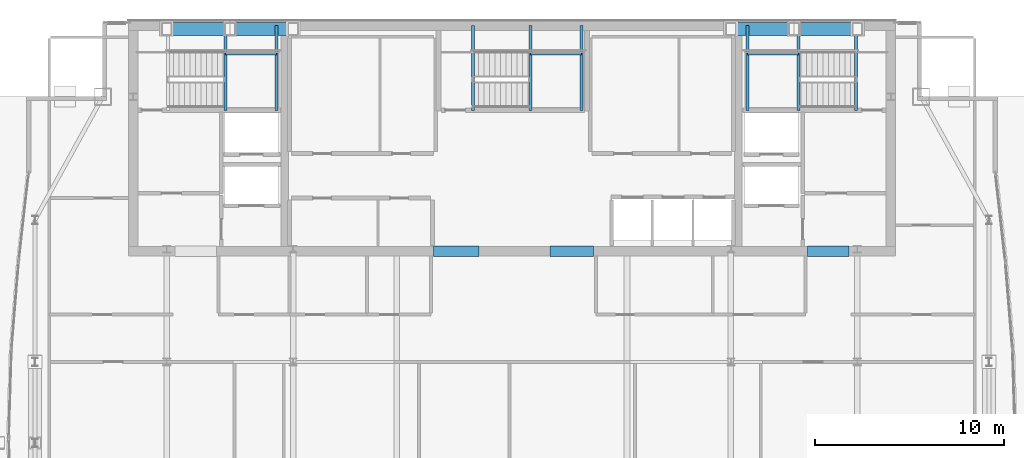
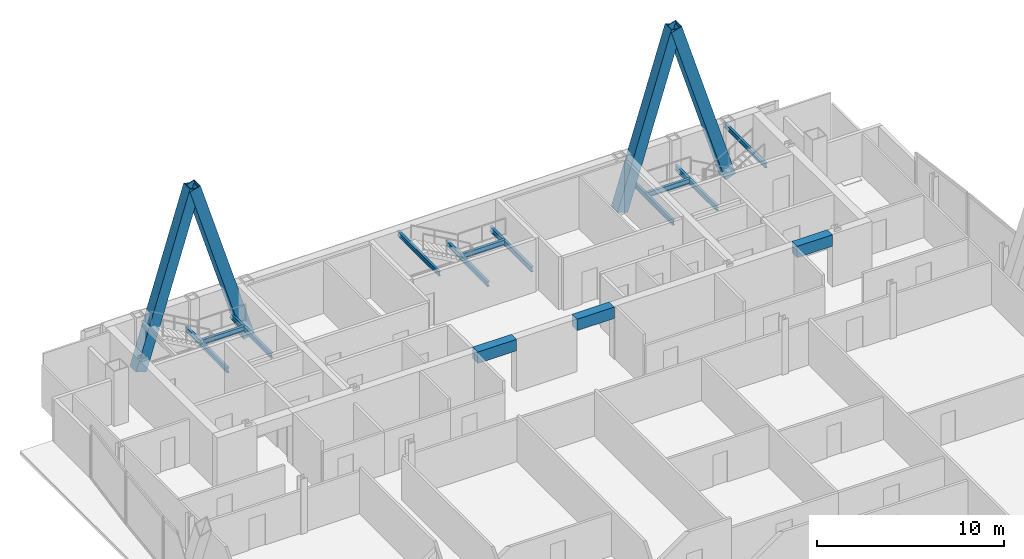
# One storey, part 19 of 28: 14 beams, 4 members.
"""IFC4 building model written with IfcOpenShell, lengths in metres."""

from ifc_helpers import new_model, si_unit, direction, frame, origin, origin_2d, place, context, subcontext, project, spatial, rectangle, hollow_rectangle, i_section, extrude, material, material_profile, profile_set, type_object, element, save


model = new_model("IFC4")

# Units and contexts
model_context = context("Model", 3, precision=1e-05, world=origin(), true_north=direction((0.0, 1.0)))
body_context = subcontext(model_context, "Body", "Model", "MODEL_VIEW")
ifc_project = project(units=[si_unit("LENGTHUNIT", "METRE"), si_unit("AREAUNIT", "SQUARE_METRE"), si_unit("VOLUMEUNIT", "CUBIC_METRE"), si_unit("PLANEANGLEUNIT", "RADIAN"), si_unit("MASSUNIT", "GRAM", prefix="KILO")], contexts=[model_context])

# Site, building, storey
site_placement = place(None, origin())
site = spatial("IfcSite", under=ifc_project, at=site_placement, CompositionType="ELEMENT")
building_placement = place(site_placement, origin())
building = spatial("IfcBuilding", under=site, at=building_placement, Name="Khoronbel Lancet Exchange", CompositionType="ELEMENT")
storey_placement = place(building_placement, frame((0.0, 0.0, 291.39990234375)))
storey = spatial("IfcBuildingStorey", under=building, at=storey_placement, Name="L75", CompositionType="ELEMENT", Elevation=291.39990234375)

# Beams
ifc_material_1 = material(Name="Steel S355", Category="steel")
ifc_material_profile_1 = material_profile(ifc_material_1, i_section(OverallWidth=0.159912109375, OverallDepth=0.330078125, WebThickness=0.007568359375, FlangeThickness=0.011474609375, at=origin_2d()), Name="IPE 330")
ifc_profile_set_1 = profile_set([ifc_material_profile_1], Name="Steel S355")
beam_type_1 = type_object("IfcBeamType", Name="BM-BJ7", PredefinedType="JOIST", material=ifc_profile_set_1)
for number, where, z_axis, x_axis, name in (
    (1, (21.320068359375, 48.97998046875, 1.43505859375), (0.0, 1.0, 0.0), (-1.0, 0.0, 0.0), "Level L75 stair ST1 landing bearer beam 1"),
    (2, (24.030029296875, 48.97998046875, 1.43505859375), (0.0, 1.0, 0.0), (-1.0, 0.0, 0.0), "Level L75 stair ST1 rear landing bearer beam 1"),
):
    element("IfcBeam", number, at=place(storey_placement, frame(where, z_axis=z_axis, x_axis=x_axis)), inside=storey, type_object=beam_type_1, Name=name, PredefinedType="JOIST", context=body_context, shape_type="SweptSolid", body=[
        extrude(i_section(OverallWidth=0.159912109375, OverallDepth=0.330078125, WebThickness=0.007568359375, FlangeThickness=0.011474609375, at=origin_2d()), origin(), (0.0, 0.0, 1.0), 4.469970703125),
    ])
beam_1_placement = place(storey_placement, frame((21.320068359375, 51.97998046875, 1.43505859375), z_axis=(1.0, 0.0, 0.0), x_axis=(0.0, 1.0, 0.0)))
element("IfcBeam", 3, at=beam_1_placement, inside=storey, type_object=beam_type_1, Name="Level L75 stair ST1 landing cross trimmer beam 1", PredefinedType="JOIST", context=body_context, shape_type="SweptSolid", body=[
    extrude(i_section(OverallWidth=0.159912109375, OverallDepth=0.330078125, WebThickness=0.007568359375, FlangeThickness=0.011474609375, at=origin_2d()), origin(), (0.0, 0.0, 1.0), 2.7099609375),
])
for number, where, z_axis, x_axis, name in (
    (4, (51.580078125, 48.97998046875, 1.43505859375), (0.0, 1.0, 0.0), (-1.0, 0.0, 0.0), "Level L75 stair ST2 landing bearer beam 1"),
    (5, (48.8701171875, 48.97998046875, 1.43505859375), (0.0, 1.0, 0.0), (-1.0, 0.0, 0.0), "Level L75 stair ST2 rear landing bearer beam 1"),
):
    element("IfcBeam", number, at=place(storey_placement, frame(where, z_axis=z_axis, x_axis=x_axis)), inside=storey, type_object=beam_type_1, Name=name, PredefinedType="JOIST", context=body_context, shape_type="SweptSolid", body=[
        extrude(i_section(OverallWidth=0.159912109375, OverallDepth=0.330078125, WebThickness=0.007568359375, FlangeThickness=0.011474609375, at=origin_2d()), origin(), (0.0, 0.0, 1.0), 4.469970703125),
    ])
beam_2_placement = place(storey_placement, frame((48.8701171875, 51.97998046875, 1.43505859375), z_axis=(1.0, 0.0, 0.0), x_axis=(0.0, 1.0, 0.0)))
element("IfcBeam", 6, at=beam_2_placement, inside=storey, type_object=beam_type_1, Name="Level L75 stair ST2 landing cross trimmer beam 1", PredefinedType="JOIST", context=body_context, shape_type="SweptSolid", body=[
    extrude(i_section(OverallWidth=0.159912109375, OverallDepth=0.330078125, WebThickness=0.007568359375, FlangeThickness=0.011474609375, at=origin_2d()), origin(), (0.0, 0.0, 1.0), 2.7099609375),
])
for number, where, z_axis, x_axis, name in (
    (7, (37.419921875, 48.97998046875, 1.43505859375), (0.0, 1.0, 0.0), (-1.0, 0.0, 0.0), "Level L75 stair ST3 landing bearer beam 1"),
    (8, (40.1298828125, 48.97998046875, 1.43505859375), (0.0, 1.0, 0.0), (-1.0, 0.0, 0.0), "Level L75 stair ST3 rear landing bearer beam 1"),
):
    element("IfcBeam", number, at=place(storey_placement, frame(where, z_axis=z_axis, x_axis=x_axis)), inside=storey, type_object=beam_type_1, Name=name, PredefinedType="JOIST", context=body_context, shape_type="SweptSolid", body=[
        extrude(i_section(OverallWidth=0.159912109375, OverallDepth=0.330078125, WebThickness=0.007568359375, FlangeThickness=0.011474609375, at=origin_2d()), origin(), (0.0, 0.0, 1.0), 4.469970703125),
    ])
beam_3_placement = place(storey_placement, frame((37.419921875, 51.97998046875, 1.43505859375), z_axis=(1.0, 0.0, 0.0), x_axis=(0.0, 1.0, 0.0)))
element("IfcBeam", 9, at=beam_3_placement, inside=storey, type_object=beam_type_1, Name="Level L75 stair ST3 landing cross trimmer beam 1", PredefinedType="JOIST", context=body_context, shape_type="SweptSolid", body=[
    extrude(i_section(OverallWidth=0.159912109375, OverallDepth=0.330078125, WebThickness=0.007568359375, FlangeThickness=0.011474609375, at=origin_2d()), origin(), (0.0, 0.0, 1.0), 2.7099609375),
])
ifc_material_profile_2 = material_profile(ifc_material_1, i_section(OverallWidth=0.14990234375, OverallDepth=0.300048828125, WebThickness=0.007080078125, FlangeThickness=0.0107421875, at=origin_2d()), Name="IPE 300")
ifc_profile_set_2 = profile_set([ifc_material_profile_2], Name="Steel S355")
beam_type_2 = type_object("IfcBeamType", Name="BM-BJ8", PredefinedType="JOIST", material=ifc_profile_set_2)
for number, where, z_axis, x_axis, name in (
    (10, (54.60009765625, 48.97998046875, 3.16015625), (0.0, 1.0, 0.0), (-1.0, 0.0, 0.0), "Level L75 stair ST2 upper-flight arrival trimmer beam"),
    (11, (34.39990234375, 48.97998046875, 3.16015625), (0.0, 1.0, 0.0), (-1.0, 0.0, 0.0), "Level L75 stair ST3 upper-flight arrival trimmer beam"),
):
    element("IfcBeam", number, at=place(storey_placement, frame(where, z_axis=z_axis, x_axis=x_axis)), inside=storey, type_object=beam_type_2, Name=name, PredefinedType="JOIST", context=body_context, shape_type="SweptSolid", body=[
        extrude(i_section(OverallWidth=0.14990234375, OverallDepth=0.300048828125, WebThickness=0.007080078125, FlangeThickness=0.0107421875, at=origin_2d()), origin(), (0.0, 0.0, 1.0), 4.469970703125),
    ])
ifc_material_2 = material(Name="Concrete C60/75", Category="concrete")
ifc_material_profile_3 = material_profile(ifc_material_2, rectangle(XDim=0.550048828125, YDim=0.75, at=origin_2d()), Name="RC 550x750")
ifc_profile_set_3 = profile_set([ifc_material_profile_3], Name="Concrete C60/75")
beam_type_3 = type_object("IfcBeamType", Name="BM-BL2", PredefinedType="LINTEL", material=ifc_profile_set_3)
beam_4_placement = place(storey_placement, frame((32.300048828125, 41.550048828125, 3.065185546875), z_axis=(1.0, 0.0, 0.0), x_axis=(0.0, 1.0, 0.0)))
element("IfcBeam", 12, at=beam_4_placement, inside=storey, type_object=beam_type_3, Name="Level L75 rear core coupling lintel L2", PredefinedType="LINTEL", context=body_context, shape_type="SweptSolid", body=[
    extrude(rectangle(XDim=0.550048828125, YDim=0.75, at=origin_2d()), origin(), (0.0, 0.0, 1.0), 2.39990234375),
])
beam_5_placement = place(storey_placement, frame((38.449951171875, 41.550048828125, 3.065185546875), z_axis=(1.0, 0.0, 0.0), x_axis=(0.0, 1.0, 0.0)))
element("IfcBeam", 13, at=beam_5_placement, inside=storey, type_object=beam_type_3, Name="Level L75 rear core coupling lintel L3", PredefinedType="LINTEL", context=body_context, shape_type="SweptSolid", body=[
    extrude(rectangle(XDim=0.550048828125, YDim=0.75, at=origin_2d()), origin(), (0.0, 0.0, 1.0), 2.300048828125),
])
beam_6_placement = place(storey_placement, frame((52.050048828125, 41.550048828125, 3.065185546875), z_axis=(1.0, 0.0, 0.0), x_axis=(0.0, 1.0, 0.0)))
element("IfcBeam", 14, at=beam_6_placement, inside=storey, type_object=beam_type_3, Name="Level L75 rear core coupling lintel L4", PredefinedType="LINTEL", context=body_context, shape_type="SweptSolid", body=[
    extrude(rectangle(XDim=0.550048828125, YDim=0.75, at=origin_2d()), origin(), (0.0, 0.0, 1.0), 2.199951171875),
])

# Members
ifc_material_3 = material(Name="Steel S460", Category="steel")
ifc_material_profile_4 = material_profile(ifc_material_3, hollow_rectangle(XDim=0.679931640625, YDim=0.679931640625, WallThickness=0.044921875, at=origin_2d()), Name="BOX 680x680x45")
ifc_profile_set_4 = profile_set([ifc_material_profile_4], Name="Steel S460")
member_type = type_object("IfcMemberType", Name="MEM-MB3", PredefinedType="BRACE", material=ifc_profile_set_4)
for number, where, z_axis, x_axis, name in (
    (15, (18.22509765625, 53.280029296875, 0.0), (0.295242108906, 0.0, 0.955422470496), (0.0, 1.0, 0.0), "Perimeter lancet brace tier 26 N-W-L"),
    (16, (24.89990234375, 53.280029296875, 0.0), (-0.295242108906, 0.0, 0.955422470496), (0.0, -1.0, 0.0), "Perimeter lancet brace tier 26 N-W-R"),
    (17, (48.0, 53.280029296875, 0.0), (0.295242108906, 0.0, 0.955422470496), (0.0, 1.0, 0.0), "Perimeter lancet brace tier 26 N-E-L"),
    (18, (54.675048828125, 53.280029296875, 0.0), (-0.295261823895, 0.0, 0.955416378), (0.0, -1.0, 0.0), "Perimeter lancet brace tier 26 N-E-R"),
):
    element("IfcMember", number, at=place(storey_placement, frame(where, z_axis=z_axis, x_axis=x_axis)), inside=storey, type_object=member_type, Name=name, PredefinedType="BRACE", context=body_context, shape_type="SweptSolid", body=[
        extrude(hollow_rectangle(XDim=0.679931640625, YDim=0.679931640625, WallThickness=0.044921875, at=origin_2d()), origin(), (0.0, 0.0, 1.0), 11.303955078125),
    ])

save(model, "model.ifc")
